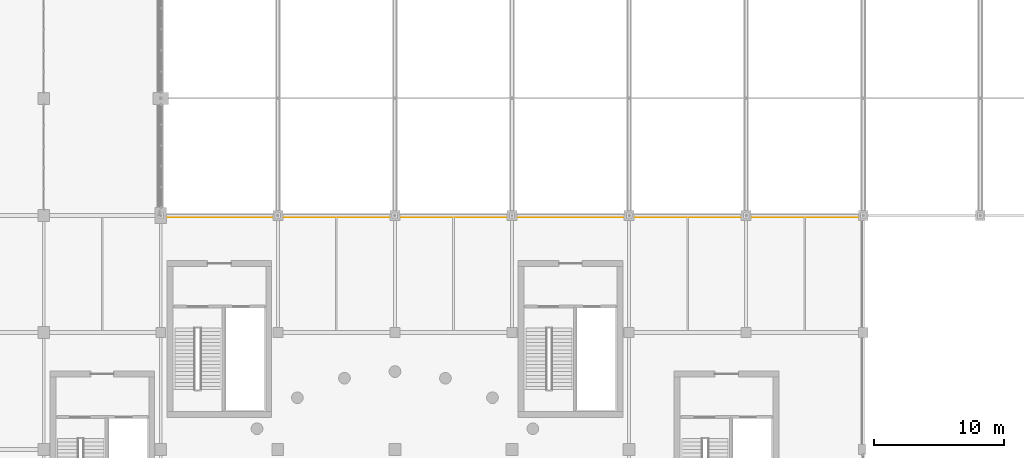
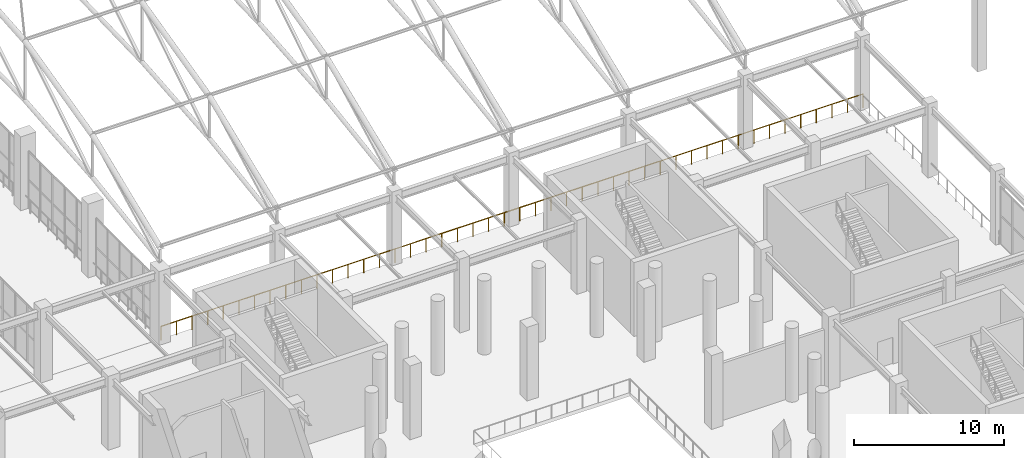
# One storey, part 211 of 223: 1 railing.
"""IFC4 building model written with IfcOpenShell, lengths in metres."""

from ifc_helpers import new_model, si_unit, direction, frame, origin, origin_2d, place, context, subcontext, project, spatial, circle, extrude, material, type_object, element, save


model = new_model("IFC4")

# Units and contexts
model_context = context("Model", 3, precision=1e-05, world=origin(), true_north=direction((0.0, 1.0)))
body_context = subcontext(model_context, "Body", "Model", "MODEL_VIEW")
ifc_project = project(units=[si_unit("LENGTHUNIT", "METRE"), si_unit("AREAUNIT", "SQUARE_METRE"), si_unit("VOLUMEUNIT", "CUBIC_METRE"), si_unit("PLANEANGLEUNIT", "RADIAN"), si_unit("MASSUNIT", "GRAM", prefix="KILO")], contexts=[model_context])

# Site, building, storey
site_placement = place(None, origin())
site = spatial("IfcSite", under=ifc_project, at=site_placement, CompositionType="ELEMENT")
building_placement = place(site_placement, origin())
building = spatial("IfcBuilding", under=site, at=building_placement, Name="Dornveld Trade and Exhibition Forum", CompositionType="ELEMENT")
storey_placement = place(building_placement, frame((0.0, 0.0, 6.0)))
storey = spatial("IfcBuildingStorey", under=building, at=storey_placement, Name="L01", CompositionType="ELEMENT", Elevation=6.0)

# Railing
ifc_material = material(Name="Dark-bronze steel and laminated glass balustrade", Category="steel")
railing_type = type_object("IfcRailingType", Name="RL-BALUST-CONC", PredefinedType="BALUSTRADE", material=ifc_material)
railing_placement = place(storey_placement, frame((99.0, 107.89990234375, 0.0)))
element("IfcRailing", 1, at=railing_placement, inside=storey, type_object=railing_type, Name="L01 deck edge balustrade 20", PredefinedType="BALUSTRADE", context=body_context, shape_type="SweptSolid", body=[
    extrude(circle(Radius=0.02490234375, at=origin_2d()), frame((0.0, 0.0, 1.09521484375), z_axis=(1.0, 0.0, 0.0), x_axis=(0.0, 1.0, 0.0)), (0.0, 0.0, 1.0), 54.0),
    extrude(circle(Radius=0.02099609375, at=origin_2d()), origin(), (0.0, 0.0, 1.0), 1.070068359375),
    extrude(circle(Radius=0.02099609375, at=origin_2d()), frame((1.199951171875, 0.0, 0.0)), (0.0, 0.0, 1.0), 1.070068359375),
    extrude(circle(Radius=0.02099609375, at=origin_2d()), frame((2.39990234375, 0.0, 0.0)), (0.0, 0.0, 1.0), 1.070068359375),
    extrude(circle(Radius=0.02099609375, at=origin_2d()), frame((3.60009765625, 0.0, 0.0)), (0.0, 0.0, 1.0), 1.070068359375),
    extrude(circle(Radius=0.02099609375, at=origin_2d()), frame((4.800048828125, 0.0, 0.0)), (0.0, 0.0, 1.0), 1.070068359375),
    extrude(circle(Radius=0.02099609375, at=origin_2d()), frame((6.0, 0.0, 0.0)), (0.0, 0.0, 1.0), 1.070068359375),
    extrude(circle(Radius=0.02099609375, at=origin_2d()), frame((7.199951171875, 0.0, 0.0)), (0.0, 0.0, 1.0), 1.070068359375),
    extrude(circle(Radius=0.02099609375, at=origin_2d()), frame((8.39990234375, 0.0, 0.0)), (0.0, 0.0, 1.0), 1.070068359375),
    extrude(circle(Radius=0.02099609375, at=origin_2d()), frame((9.60009765625, 0.0, 0.0)), (0.0, 0.0, 1.0), 1.070068359375),
    extrude(circle(Radius=0.02099609375, at=origin_2d()), frame((10.800048828125, 0.0, 0.0)), (0.0, 0.0, 1.0), 1.070068359375),
    extrude(circle(Radius=0.02099609375, at=origin_2d()), frame((12.0, 0.0, 0.0)), (0.0, 0.0, 1.0), 1.070068359375),
    extrude(circle(Radius=0.02099609375, at=origin_2d()), frame((13.199951171875, 0.0, 0.0)), (0.0, 0.0, 1.0), 1.070068359375),
    extrude(circle(Radius=0.02099609375, at=origin_2d()), frame((14.39990234375, 0.0, 0.0)), (0.0, 0.0, 1.0), 1.070068359375),
    extrude(circle(Radius=0.02099609375, at=origin_2d()), frame((15.60009765625, 0.0, 0.0)), (0.0, 0.0, 1.0), 1.070068359375),
    extrude(circle(Radius=0.02099609375, at=origin_2d()), frame((16.800048828125, 0.0, 0.0)), (0.0, 0.0, 1.0), 1.070068359375),
    extrude(circle(Radius=0.02099609375, at=origin_2d()), frame((18.0, 0.0, 0.0)), (0.0, 0.0, 1.0), 1.070068359375),
    extrude(circle(Radius=0.02099609375, at=origin_2d()), frame((19.199951171875, 0.0, 0.0)), (0.0, 0.0, 1.0), 1.070068359375),
    extrude(circle(Radius=0.02099609375, at=origin_2d()), frame((20.39990234375, 0.0, 0.0)), (0.0, 0.0, 1.0), 1.070068359375),
    extrude(circle(Radius=0.02099609375, at=origin_2d()), frame((21.60009765625, 0.0, 0.0)), (0.0, 0.0, 1.0), 1.070068359375),
    extrude(circle(Radius=0.02099609375, at=origin_2d()), frame((22.800048828125, 0.0, 0.0)), (0.0, 0.0, 1.0), 1.070068359375),
    extrude(circle(Radius=0.02099609375, at=origin_2d()), frame((24.0, 0.0, 0.0)), (0.0, 0.0, 1.0), 1.070068359375),
    extrude(circle(Radius=0.02099609375, at=origin_2d()), frame((25.199951171875, 0.0, 0.0)), (0.0, 0.0, 1.0), 1.070068359375),
    extrude(circle(Radius=0.02099609375, at=origin_2d()), frame((26.39990234375, 0.0, 0.0)), (0.0, 0.0, 1.0), 1.070068359375),
    extrude(circle(Radius=0.02099609375, at=origin_2d()), frame((27.60009765625, 0.0, 0.0)), (0.0, 0.0, 1.0), 1.070068359375),
    extrude(circle(Radius=0.02099609375, at=origin_2d()), frame((28.800048828125, 0.0, 0.0)), (0.0, 0.0, 1.0), 1.070068359375),
    extrude(circle(Radius=0.02099609375, at=origin_2d()), frame((30.0, 0.0, 0.0)), (0.0, 0.0, 1.0), 1.070068359375),
    extrude(circle(Radius=0.02099609375, at=origin_2d()), frame((31.199951171875, 0.0, 0.0)), (0.0, 0.0, 1.0), 1.070068359375),
    extrude(circle(Radius=0.02099609375, at=origin_2d()), frame((32.39990234375, 0.0, 0.0)), (0.0, 0.0, 1.0), 1.070068359375),
    extrude(circle(Radius=0.02099609375, at=origin_2d()), frame((33.60009765625, 0.0, 0.0)), (0.0, 0.0, 1.0), 1.070068359375),
    extrude(circle(Radius=0.02099609375, at=origin_2d()), frame((34.800048828125, 0.0, 0.0)), (0.0, 0.0, 1.0), 1.070068359375),
    extrude(circle(Radius=0.02099609375, at=origin_2d()), frame((36.0, 0.0, 0.0)), (0.0, 0.0, 1.0), 1.070068359375),
    extrude(circle(Radius=0.02099609375, at=origin_2d()), frame((37.199951171875, 0.0, 0.0)), (0.0, 0.0, 1.0), 1.070068359375),
    extrude(circle(Radius=0.02099609375, at=origin_2d()), frame((38.39990234375, 0.0, 0.0)), (0.0, 0.0, 1.0), 1.070068359375),
    extrude(circle(Radius=0.02099609375, at=origin_2d()), frame((39.60009765625, 0.0, 0.0)), (0.0, 0.0, 1.0), 1.070068359375),
    extrude(circle(Radius=0.02099609375, at=origin_2d()), frame((40.800048828125, 0.0, 0.0)), (0.0, 0.0, 1.0), 1.070068359375),
    extrude(circle(Radius=0.02099609375, at=origin_2d()), frame((42.0, 0.0, 0.0)), (0.0, 0.0, 1.0), 1.070068359375),
    extrude(circle(Radius=0.02099609375, at=origin_2d()), frame((43.199951171875, 0.0, 0.0)), (0.0, 0.0, 1.0), 1.070068359375),
    extrude(circle(Radius=0.02099609375, at=origin_2d()), frame((44.39990234375, 0.0, 0.0)), (0.0, 0.0, 1.0), 1.070068359375),
    extrude(circle(Radius=0.02099609375, at=origin_2d()), frame((45.60009765625, 0.0, 0.0)), (0.0, 0.0, 1.0), 1.070068359375),
    extrude(circle(Radius=0.02099609375, at=origin_2d()), frame((46.800048828125, 0.0, 0.0)), (0.0, 0.0, 1.0), 1.070068359375),
    extrude(circle(Radius=0.02099609375, at=origin_2d()), frame((48.0, 0.0, 0.0)), (0.0, 0.0, 1.0), 1.070068359375),
    extrude(circle(Radius=0.02099609375, at=origin_2d()), frame((49.199951171875, 0.0, 0.0)), (0.0, 0.0, 1.0), 1.070068359375),
    extrude(circle(Radius=0.02099609375, at=origin_2d()), frame((50.39990234375, 0.0, 0.0)), (0.0, 0.0, 1.0), 1.070068359375),
    extrude(circle(Radius=0.02099609375, at=origin_2d()), frame((51.60009765625, 0.0, 0.0)), (0.0, 0.0, 1.0), 1.070068359375),
    extrude(circle(Radius=0.02099609375, at=origin_2d()), frame((52.800048828125, 0.0, 0.0)), (0.0, 0.0, 1.0), 1.070068359375),
    extrude(circle(Radius=0.02099609375, at=origin_2d()), frame((54.0, 0.0, 0.0)), (0.0, 0.0, 1.0), 1.070068359375),
])

save(model, "model.ifc")
